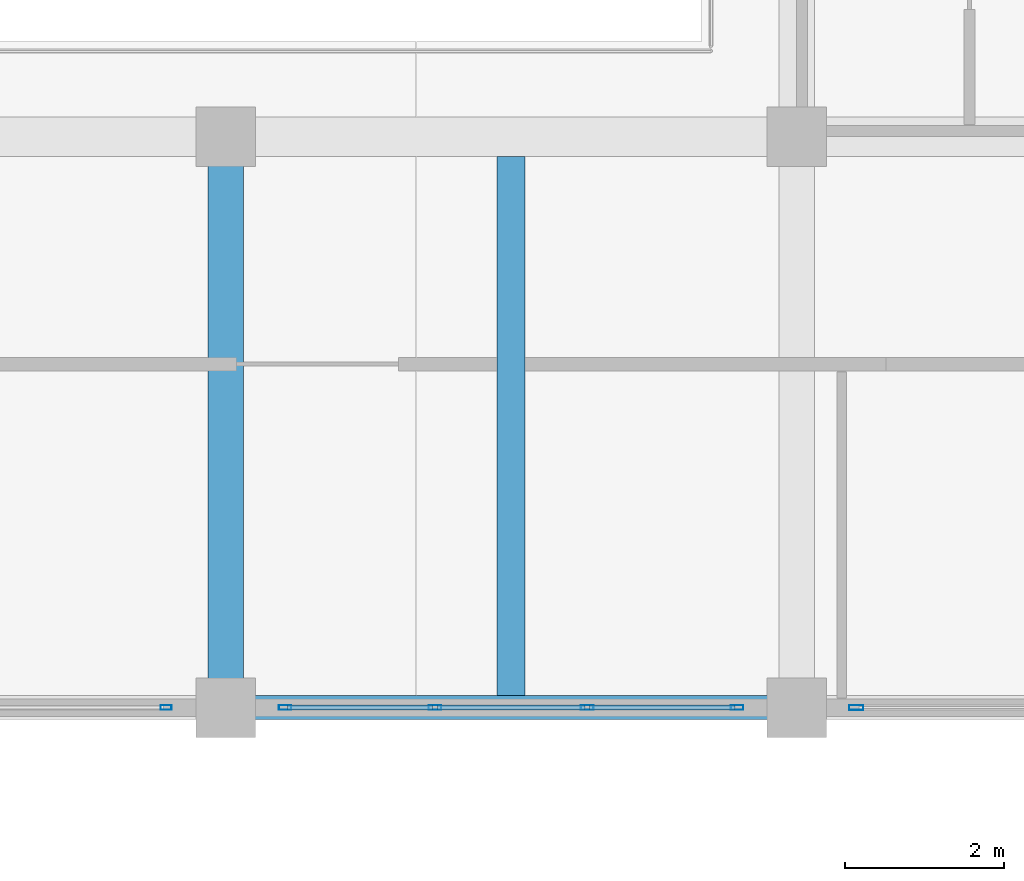
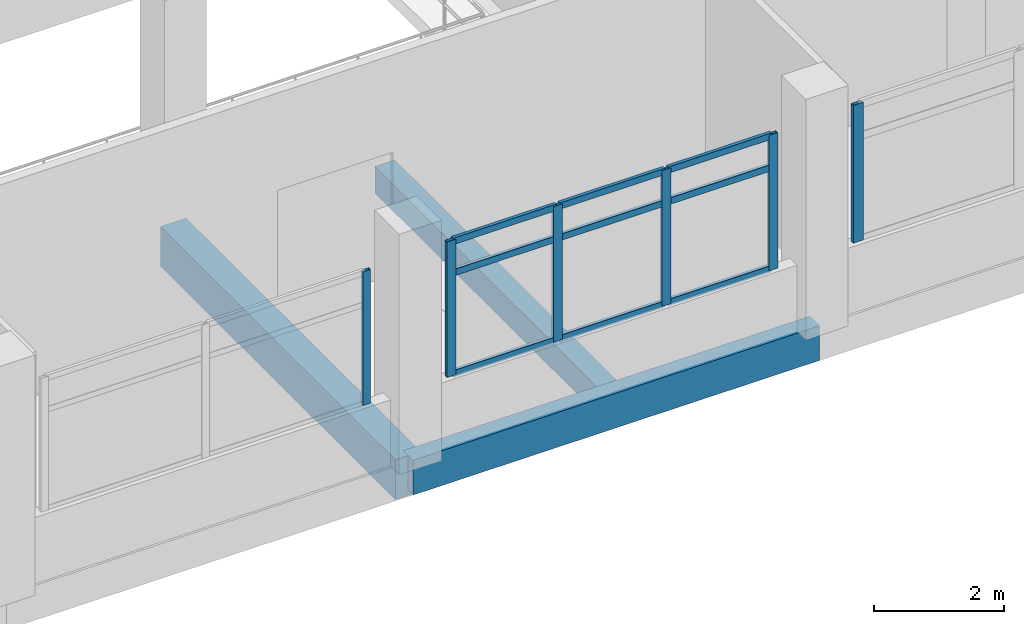
# One storey, part 25 of 141: 15 members, 3 beams, 3 elements without a shape of their own.
"""IFC4 building model written with IfcOpenShell, lengths in metres."""

from ifc_helpers import new_model, si_unit, direction, frame, origin, origin_2d, place, context, subcontext, project, spatial, rectangle, hollow_rectangle, extrude, material, layer, layer_set, material_profile, profile_set, type_object, element, aggregate, save


model = new_model("IFC4")

# Units and contexts
model_context = context("Model", 3, precision=1e-05, world=origin(), true_north=direction((0.0, 1.0)))
body_context = subcontext(model_context, "Body", "Model", "MODEL_VIEW")
ifc_project = project(units=[si_unit("LENGTHUNIT", "METRE"), si_unit("AREAUNIT", "SQUARE_METRE"), si_unit("VOLUMEUNIT", "CUBIC_METRE"), si_unit("PLANEANGLEUNIT", "RADIAN"), si_unit("MASSUNIT", "GRAM", prefix="KILO")], contexts=[model_context])

# Site, building, storey
site_placement = place(None, origin())
site = spatial("IfcSite", under=ifc_project, at=site_placement, CompositionType="ELEMENT")
building_placement = place(site_placement, origin())
building = spatial("IfcBuilding", under=site, at=building_placement, Name="Seraya Terrace Polytechnic", CompositionType="ELEMENT")
storey_placement = place(building_placement, frame((0.0, 0.0, 14.39990234375)))
storey = spatial("IfcBuildingStorey", under=building, at=storey_placement, Name="L03", CompositionType="ELEMENT", Elevation=14.39990234375)

# Beam
ifc_material_1 = material(Name="Concrete C40/50", Category="concrete")
ifc_material_profile_1 = material_profile(ifc_material_1, rectangle(XDim=0.449951171875, YDim=0.75, at=origin_2d()), Name="RC 450x750")
ifc_profile_set_1 = profile_set([ifc_material_profile_1], Name="Concrete C40/50")
beam_type_1 = type_object("IfcBeamType", Name="BM-08", PredefinedType="BEAM", material=ifc_profile_set_1)
beam_1_placement = place(storey_placement, frame((64.800048828125, 0.0, -0.375), z_axis=(0.0, 1.0, 0.0), x_axis=(-1.0, 0.0, 0.0)))
element("IfcBeam", 1, at=beam_1_placement, inside=storey, type_object=beam_type_1, Name="Beam BM-08 L03 Y (64.8, 0.0..7.2)", PredefinedType="BEAM", context=body_context, shape_type="SweptSolid", body=[
    extrude(rectangle(XDim=0.449951171875, YDim=0.75, at=origin_2d()), origin(), (0.0, 0.0, 1.0), 7.199951171875),
])

# Curtain wall, member
ifc_material_2 = material(Name="Anodised aluminium EN AW-6063 T6", Category="aluminium")
ifc_layer_1 = layer(ifc_material_2, 0.179931640625, Name="CW-31")
ifc_layer_set_1 = layer_set([ifc_layer_1], Name="Anodised aluminium EN AW-6063 T6")
curtain_wall_type_1 = type_object("IfcCurtainWallType", Name="CW-31", PredefinedType="NOTDEFINED", material=ifc_layer_set_1)
curtain_wall_1_placement = place(storey_placement, origin())
curtain_wall_1 = element("IfcCurtainWall", 2, at=curtain_wall_1_placement, inside=storey, type_object=curtain_wall_type_1, Name="Unitised curtain wall CW-31 (CW-L03-103)", PredefinedType="NOTDEFINED")
ifc_material_profile_2 = material_profile(ifc_material_2, hollow_rectangle(XDim=0.06494140625, YDim=0.179931640625, WallThickness=0.00390625, at=origin_2d()), Name="RHS 180x65x4.0")
ifc_profile_set_2 = profile_set([ifc_material_profile_2], Name="Anodised aluminium EN AW-6063 T6")
member_type_1 = type_object("IfcMemberType", Name="CWM-01", PredefinedType="MULLION", material=ifc_profile_set_2)
member_1_placement = place(storey_placement, frame((72.75244140625, 0.0, 1.239990234375), z_axis=(0.0, 0.0, 1.0), x_axis=(0.0, -1.0, 0.0)))
member_1 = element("IfcMember", 3, at=member_1_placement, type_object=member_type_1, Name="CW-31 mullion 3", PredefinedType="MULLION", context=body_context, shape_type="SweptSolid", body=[
    extrude(hollow_rectangle(XDim=0.06494140625, YDim=0.179931640625, WallThickness=0.00390625, at=origin_2d()), origin(), (0.0, 0.0, 1.0), 2.580078125),
])
aggregate(curtain_wall_1, [member_1])

# Curtain wall, members
ifc_layer_2 = layer(ifc_material_2, 0.179931640625, Name="CW-32")
ifc_layer_set_2 = layer_set([ifc_layer_2], Name="Anodised aluminium EN AW-6063 T6")
curtain_wall_type_2 = type_object("IfcCurtainWallType", Name="CW-32", PredefinedType="NOTDEFINED", material=ifc_layer_set_2)
curtain_wall_2_placement = place(storey_placement, origin())
curtain_wall_2 = element("IfcCurtainWall", 4, at=curtain_wall_2_placement, inside=storey, type_object=curtain_wall_type_2, Name="Unitised curtain wall CW-32 (CW-L03-104)", PredefinedType="NOTDEFINED")
ifc_material_profile_3 = material_profile(ifc_material_2, hollow_rectangle(XDim=0.06005859375, YDim=0.159912109375, WallThickness=0.00341796875, at=origin_2d()), Name="RHS 160x60x3.5")
ifc_profile_set_3 = profile_set([ifc_material_profile_3], Name="Anodised aluminium EN AW-6063 T6")
member_type_2 = type_object("IfcMemberType", Name="CWM-02", PredefinedType="MULLION", material=ifc_profile_set_3)
member_2_placement = place(storey_placement, frame((71.25, 0.0, 1.239990234375), z_axis=(0.0, 0.0, 1.0), x_axis=(0.0, -1.0, 0.0)))
member_2 = element("IfcMember", 5, at=member_2_placement, type_object=member_type_2, Name="CW-32 mullion 1", PredefinedType="MULLION", context=body_context, shape_type="SweptSolid", body=[
    extrude(hollow_rectangle(XDim=0.06005859375, YDim=0.159912109375, WallThickness=0.00341796875, at=origin_2d()), origin(), (0.0, 0.0, 1.0), 2.5400390625),
])
member_3_placement = place(storey_placement, frame((69.360107421875, 0.0, 1.239990234375), z_axis=(0.0, 0.0, 1.0), x_axis=(0.0, -1.0, 0.0)))
member_3 = element("IfcMember", 6, at=member_3_placement, type_object=member_type_2, Name="CW-32 mullion 2", PredefinedType="MULLION", context=body_context, shape_type="SweptSolid", body=[
    extrude(hollow_rectangle(XDim=0.06005859375, YDim=0.159912109375, WallThickness=0.00341796875, at=origin_2d()), origin(), (0.0, 0.0, 1.0), 2.5400390625),
])
member_4_placement = place(storey_placement, frame((67.43994140625, 0.0, 1.239990234375), z_axis=(0.0, 0.0, 1.0), x_axis=(0.0, -1.0, 0.0)))
member_4 = element("IfcMember", 7, at=member_4_placement, type_object=member_type_2, Name="CW-32 mullion 3", PredefinedType="MULLION", context=body_context, shape_type="SweptSolid", body=[
    extrude(hollow_rectangle(XDim=0.06005859375, YDim=0.159912109375, WallThickness=0.00341796875, at=origin_2d()), origin(), (0.0, 0.0, 1.0), 2.5400390625),
])
member_5_placement = place(storey_placement, frame((65.550048828125, 0.0, 1.239990234375), z_axis=(0.0, 0.0, 1.0), x_axis=(0.0, -1.0, 0.0)))
member_5 = element("IfcMember", 8, at=member_5_placement, type_object=member_type_2, Name="CW-32 mullion 4", PredefinedType="MULLION", context=body_context, shape_type="SweptSolid", body=[
    extrude(hollow_rectangle(XDim=0.06005859375, YDim=0.159912109375, WallThickness=0.00341796875, at=origin_2d()), origin(), (0.0, 0.0, 1.0), 2.5400390625),
])

# Curtain wall, member
ifc_layer_3 = layer(ifc_material_2, 0.179931640625, Name="CW-33")
ifc_layer_set_3 = layer_set([ifc_layer_3], Name="Anodised aluminium EN AW-6063 T6")
curtain_wall_type_3 = type_object("IfcCurtainWallType", Name="CW-33", PredefinedType="NOTDEFINED", material=ifc_layer_set_3)
curtain_wall_3_placement = place(storey_placement, origin())
curtain_wall_3 = element("IfcCurtainWall", 9, at=curtain_wall_3_placement, inside=storey, type_object=curtain_wall_type_3, Name="Unitised curtain wall CW-33 (CW-L03-105)", PredefinedType="NOTDEFINED")
ifc_material_profile_4 = material_profile(ifc_material_2, hollow_rectangle(XDim=0.06005859375, YDim=0.139892578125, WallThickness=0.00341796875, at=origin_2d()), Name="RHS 140x60x3.5")
ifc_profile_set_4 = profile_set([ifc_material_profile_4], Name="Anodised aluminium EN AW-6063 T6")
member_type_3 = type_object("IfcMemberType", Name="CWM-03", PredefinedType="MULLION", material=ifc_profile_set_4)
member_6_placement = place(storey_placement, frame((64.050048828125, 0.0, 1.239990234375), z_axis=(0.0, 0.0, 1.0), x_axis=(0.0, -1.0, 0.0)))
member_6 = element("IfcMember", 10, at=member_6_placement, type_object=member_type_3, Name="CW-33 mullion 1", PredefinedType="MULLION", context=body_context, shape_type="SweptSolid", body=[
    extrude(hollow_rectangle(XDim=0.06005859375, YDim=0.139892578125, WallThickness=0.00341796875, at=origin_2d()), origin(), (0.0, 0.0, 1.0), 2.5),
])
aggregate(curtain_wall_3, [member_6])

# Member
ifc_material_profile_5 = material_profile(ifc_material_2, hollow_rectangle(XDim=0.06005859375, YDim=0.1201171875, WallThickness=0.003173828125, at=origin_2d()), Name="RHS 120x60x3.2")
ifc_profile_set_5 = profile_set([ifc_material_profile_5], Name="Anodised aluminium EN AW-6063 T6")
member_type_4 = type_object("IfcMemberType", Name="CWT-02", PredefinedType="USERDEFINED", material=ifc_profile_set_5)
member_7_placement = place(storey_placement, frame((71.219970703125, 0.0, 1.27001953125), z_axis=(-1.0, 0.0, 0.0), x_axis=(0.0, -1.0, 0.0)))
member_7 = element("IfcMember", 11, at=member_7_placement, type_object=member_type_4, Name="CW-32 transom 1.1", ObjectType="TRANSOM", PredefinedType="USERDEFINED", context=body_context, shape_type="SweptSolid", body=[
    extrude(hollow_rectangle(XDim=0.06005859375, YDim=0.1201171875, WallThickness=0.003173828125, at=origin_2d()), origin(), (0.0, 0.0, 1.0), 1.830078125),
])

member_8_placement = place(storey_placement, frame((71.219970703125, 0.0, 3.16015625), z_axis=(-1.0, 0.0, 0.0), x_axis=(0.0, -1.0, 0.0)))
member_8 = element("IfcMember", 12, at=member_8_placement, type_object=member_type_4, Name="CW-32 transom 1.2", ObjectType="TRANSOM", PredefinedType="USERDEFINED", context=body_context, shape_type="SweptSolid", body=[
    extrude(hollow_rectangle(XDim=0.06005859375, YDim=0.1201171875, WallThickness=0.003173828125, at=origin_2d()), origin(), (0.0, 0.0, 1.0), 1.830078125),
])

member_9_placement = place(storey_placement, frame((71.219970703125, 0.0, 3.75), z_axis=(-1.0, 0.0, 0.0), x_axis=(0.0, -1.0, 0.0)))
member_9 = element("IfcMember", 13, at=member_9_placement, type_object=member_type_4, Name="CW-32 transom 1.3", ObjectType="TRANSOM", PredefinedType="USERDEFINED", context=body_context, shape_type="SweptSolid", body=[
    extrude(hollow_rectangle(XDim=0.06005859375, YDim=0.1201171875, WallThickness=0.003173828125, at=origin_2d()), origin(), (0.0, 0.0, 1.0), 1.830078125),
])

member_10_placement = place(storey_placement, frame((69.330078125, 0.0, 1.27001953125), z_axis=(-1.0, 0.0, 0.0), x_axis=(0.0, -1.0, 0.0)))
member_10 = element("IfcMember", 14, at=member_10_placement, type_object=member_type_4, Name="CW-32 transom 2.1", ObjectType="TRANSOM", PredefinedType="USERDEFINED", context=body_context, shape_type="SweptSolid", body=[
    extrude(hollow_rectangle(XDim=0.06005859375, YDim=0.1201171875, WallThickness=0.003173828125, at=origin_2d()), origin(), (0.0, 0.0, 1.0), 1.860107421875),
])

member_11_placement = place(storey_placement, frame((69.330078125, 0.0, 3.16015625), z_axis=(-1.0, 0.0, 0.0), x_axis=(0.0, -1.0, 0.0)))
member_11 = element("IfcMember", 15, at=member_11_placement, type_object=member_type_4, Name="CW-32 transom 2.2", ObjectType="TRANSOM", PredefinedType="USERDEFINED", context=body_context, shape_type="SweptSolid", body=[
    extrude(hollow_rectangle(XDim=0.06005859375, YDim=0.1201171875, WallThickness=0.003173828125, at=origin_2d()), origin(), (0.0, 0.0, 1.0), 1.860107421875),
])

member_12_placement = place(storey_placement, frame((69.330078125, 0.0, 3.75), z_axis=(-1.0, 0.0, 0.0), x_axis=(0.0, -1.0, 0.0)))
member_12 = element("IfcMember", 16, at=member_12_placement, type_object=member_type_4, Name="CW-32 transom 2.3", ObjectType="TRANSOM", PredefinedType="USERDEFINED", context=body_context, shape_type="SweptSolid", body=[
    extrude(hollow_rectangle(XDim=0.06005859375, YDim=0.1201171875, WallThickness=0.003173828125, at=origin_2d()), origin(), (0.0, 0.0, 1.0), 1.860107421875),
])

member_13_placement = place(storey_placement, frame((67.409912109375, 0.0, 1.27001953125), z_axis=(-1.0, 0.0, 0.0), x_axis=(0.0, -1.0, 0.0)))
member_13 = element("IfcMember", 17, at=member_13_placement, type_object=member_type_4, Name="CW-32 transom 3.1", ObjectType="TRANSOM", PredefinedType="USERDEFINED", context=body_context, shape_type="SweptSolid", body=[
    extrude(hollow_rectangle(XDim=0.06005859375, YDim=0.1201171875, WallThickness=0.003173828125, at=origin_2d()), origin(), (0.0, 0.0, 1.0), 1.829833984375),
])

member_14_placement = place(storey_placement, frame((67.409912109375, 0.0, 3.16015625), z_axis=(-1.0, 0.0, 0.0), x_axis=(0.0, -1.0, 0.0)))
member_14 = element("IfcMember", 18, at=member_14_placement, type_object=member_type_4, Name="CW-32 transom 3.2", ObjectType="TRANSOM", PredefinedType="USERDEFINED", context=body_context, shape_type="SweptSolid", body=[
    extrude(hollow_rectangle(XDim=0.06005859375, YDim=0.1201171875, WallThickness=0.003173828125, at=origin_2d()), origin(), (0.0, 0.0, 1.0), 1.829833984375),
])

member_15_placement = place(storey_placement, frame((67.409912109375, 0.0, 3.75), z_axis=(-1.0, 0.0, 0.0), x_axis=(0.0, -1.0, 0.0)))
member_15 = element("IfcMember", 19, at=member_15_placement, type_object=member_type_4, Name="CW-32 transom 3.3", ObjectType="TRANSOM", PredefinedType="USERDEFINED", context=body_context, shape_type="SweptSolid", body=[
    extrude(hollow_rectangle(XDim=0.06005859375, YDim=0.1201171875, WallThickness=0.003173828125, at=origin_2d()), origin(), (0.0, 0.0, 1.0), 1.829833984375),
])

aggregate(curtain_wall_2, [member_2, member_3, member_4, member_5, member_7, member_8, member_9, member_10, member_11, member_12, member_13, member_14, member_15])

# Beams
ifc_material_profile_6 = material_profile(ifc_material_1, rectangle(XDim=0.35009765625, YDim=0.5, at=origin_2d()), Name="RC 350x500")
ifc_profile_set_6 = profile_set([ifc_material_profile_6], Name="Concrete C40/50")
beam_type_2 = type_object("IfcBeamType", Name="JS-03", PredefinedType="JOIST", material=ifc_profile_set_6)
beam_2_placement = place(storey_placement, frame((68.39990234375, 0.14990234375, -0.25), z_axis=(0.0, 1.0, 0.0), x_axis=(-1.0, 0.0, 0.0)))
element("IfcBeam", 20, at=beam_2_placement, inside=storey, type_object=beam_type_2, Name="Secondary joist JS-03 L03", PredefinedType="JOIST", context=body_context, shape_type="SweptSolid", body=[
    extrude(rectangle(XDim=0.35009765625, YDim=0.5, at=origin_2d()), origin(), (0.0, 0.0, 1.0), 6.800048828125),
])
ifc_material_profile_7 = material_profile(ifc_material_1, rectangle(XDim=0.300048828125, YDim=0.64990234375, at=origin_2d()), Name="RC 300x650")
ifc_profile_set_7 = profile_set([ifc_material_profile_7], Name="Concrete C40/50")
beam_type_3 = type_object("IfcBeamType", Name="SP-01", PredefinedType="SPANDREL", material=ifc_profile_set_7)
beam_3_placement = place(storey_placement, frame((64.800048828125, 0.0, -0.324951171875), z_axis=(1.0, 0.0, 0.0), x_axis=(0.0, 1.0, 0.0)))
element("IfcBeam", 21, at=beam_3_placement, inside=storey, type_object=beam_type_3, Name="Beam SP-01 L03 X (64.8..72.0, 0.0)", PredefinedType="SPANDREL", context=body_context, shape_type="SweptSolid", body=[
    extrude(rectangle(XDim=0.300048828125, YDim=0.64990234375, at=origin_2d()), origin(), (0.0, 0.0, 1.0), 7.199951171875),
])

save(model, "model.ifc")
